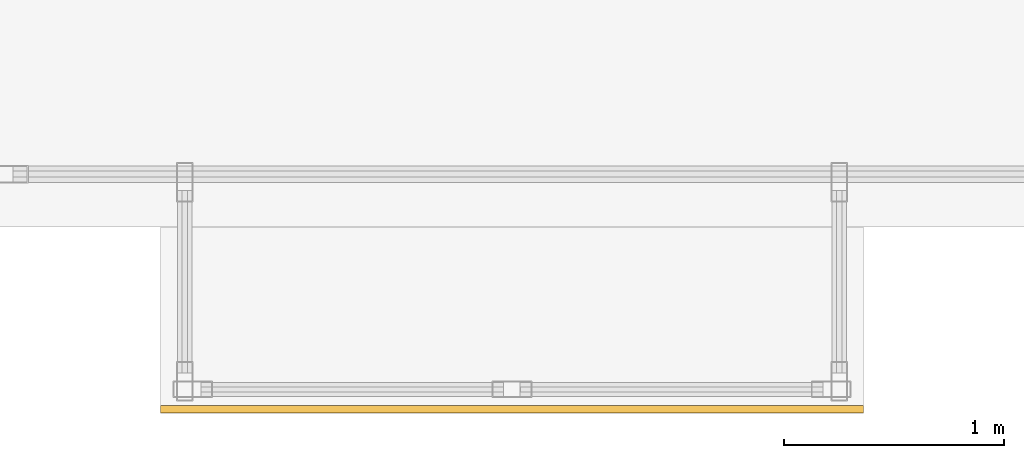
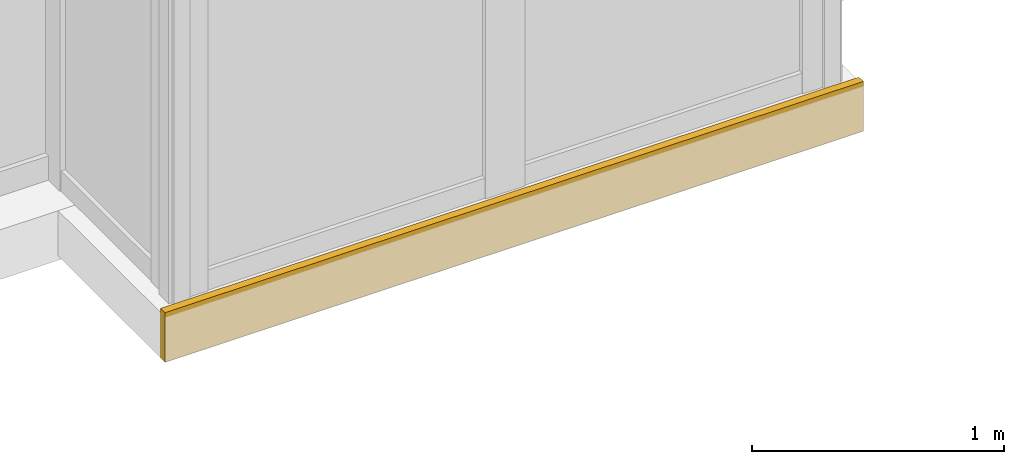
# One storey, part 23 of 24: 1 covering.
"""IFC4 building model written with IfcOpenShell, lengths in metres."""

from ifc_helpers import new_model, si_unit, direction, frame, origin, origin_2d, place, context, subcontext, project, spatial, rectangle, extrude, material, layer, layer_set, type_object, element, save


model = new_model("IFC4")

# Units and contexts
model_context = context("Model", 3, precision=1e-05, world=origin(), true_north=direction((0.0, 1.0)))
body_context = subcontext(model_context, "Body", "Model", "MODEL_VIEW")
ifc_project = project(units=[si_unit("LENGTHUNIT", "METRE"), si_unit("AREAUNIT", "SQUARE_METRE"), si_unit("VOLUMEUNIT", "CUBIC_METRE"), si_unit("PLANEANGLEUNIT", "RADIAN"), si_unit("MASSUNIT", "GRAM", prefix="KILO")], contexts=[model_context])

# Site, building, storey
site_placement = place(None, origin())
site = spatial("IfcSite", under=ifc_project, at=site_placement, CompositionType="ELEMENT")
building_placement = place(site_placement, origin())
building = spatial("IfcBuilding", under=site, at=building_placement, Name="Kolvaren Waterfront Exchange", CompositionType="ELEMENT")
storey_placement = place(building_placement, frame((0.0, 0.0, 300.800048828125)))
storey = spatial("IfcBuildingStorey", under=building, at=storey_placement, Name="L77", CompositionType="ELEMENT", Elevation=300.800048828125)

# Covering
ifc_material = material(Name="Anodised bronze fascia aluminium", Category="aluminium")
ifc_layer = layer(ifc_material, 0.034912109375, Name="Anodised bronze fascia aluminium")
ifc_layer_set = layer_set([ifc_layer], Name="Anodised bronze fascia aluminium")
covering_type = type_object("IfcCoveringType", Name="ARC-CLAD-BRONZE-35", PredefinedType="CLADDING", material=ifc_layer_set)
covering_placement = place(storey_placement, frame((36.300048828125, 2.77001953125, -0.22021484375), z_axis=(0.0, 0.0, 1.0), x_axis=(1.0, 0.0, 0.0)))
element("IfcCovering", 1, at=covering_placement, inside=storey, type_object=covering_type, Name="L77 ribbed anodised bronze bay-box fascia", PredefinedType="CLADDING", context=body_context, shape_type="SweptSolid", body=[
    extrude(rectangle(XDim=3.199951171875, YDim=0.034912109375, at=origin_2d()), origin(), (0.0, 0.0, 1.0), 0.239990234375),
])

save(model, "model.ifc")
